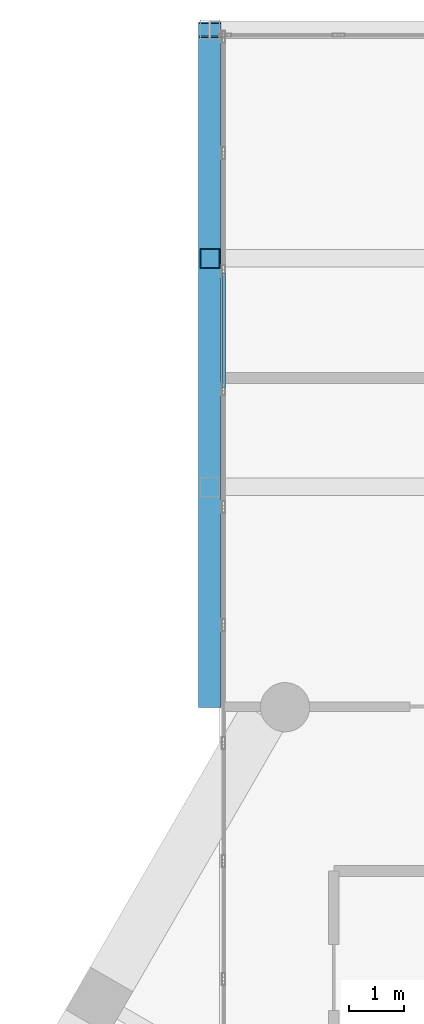
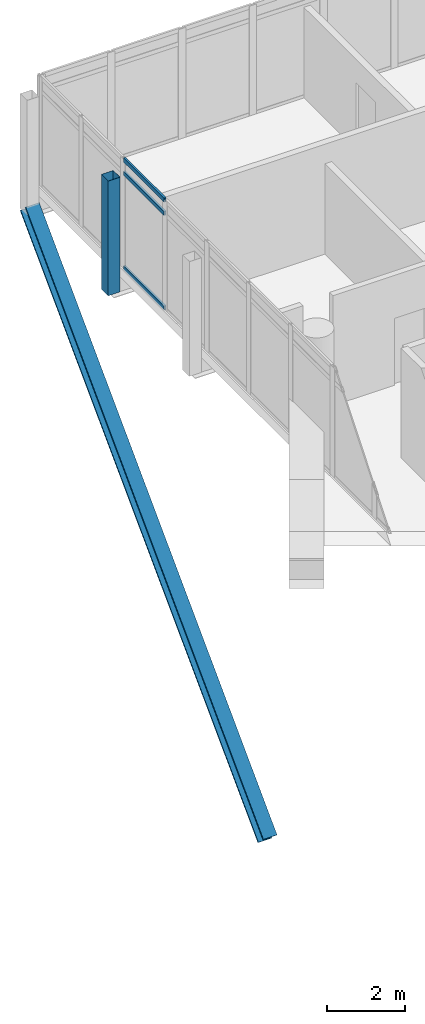
# One storey, part 18 of 34: 5 members, 1 element without a shape of its own.
"""IFC4 building model written with IfcOpenShell, lengths in metres."""

import ifcopenshell
import ifcopenshell.guid

model = None  # the IFC model being written
_history = None  # IfcOwnerHistory: only IFC2X3 demands one
_inside = {}  # id of a spatial element -> (the spatial element, [elements in it])
_under = {}  # id of a project, library or spatial element -> (it, [spatial elements below it])
_declared = {}  # id of a project -> (the project, [libraries it declares])
_typed = {}  # id of a type object -> (the type object, [elements of that type])
_made_of = {}  # id of a material, layer set ... -> (it, [elements and type objects made of it])


def new_model(schema):
    """Start an empty IFC model of exactly this schema.

    Asked for "IFC4X3", IfcOpenShell would pick the latest addendum, in which some entities
    have other attributes; the version numbers below select the first issue.
    IFC2X3 requires an IfcOwnerHistory on every rooted entity: one is made here for all.
    """
    global model, _history
    if schema == "IFC4X3":
        model = ifcopenshell.file(schema_version=(4, 3, 0, 0))
    else:
        model = ifcopenshell.file(schema=schema)
    _inside.clear()
    _under.clear()
    _declared.clear()
    _typed.clear()
    _made_of.clear()
    _history = None
    if model.schema == "IFC2X3":
        org = make("IfcOrganization", Name="unknown")
        user = make(
            "IfcPersonAndOrganization",
            ThePerson=make("IfcPerson", FamilyName="unknown"),
            TheOrganization=org,
        )
        app = make(
            "IfcApplication",
            ApplicationDeveloper=org,
            Version="unknown",
            ApplicationFullName="unknown",
            ApplicationIdentifier="unknown",
        )
        _history = make(
            "IfcOwnerHistory",
            OwningUser=user,
            OwningApplication=app,
            ChangeAction="ADDED",
            CreationDate=0,
        )
    return model


def make(cls, **values):
    """One entity of the class cls with the attributes given. An attribute that is None is left unset."""
    return model.create_entity(
        cls, **{name: value for name, value in values.items() if value is not None}
    )


def rooted(cls, **values):
    """An entity with a GlobalId (a new one), such as an element, a storey or a relation."""
    return make(cls, GlobalId=ifcopenshell.guid.new(), OwnerHistory=_history, **values)


def si_unit(unit_type, name, prefix=None):
    """IfcSIUnit, for example si_unit("LENGTHUNIT", "METRE", prefix="MILLI")."""
    return make("IfcSIUnit", UnitType=unit_type, Prefix=prefix, Name=name)


def assignment(units):
    """IfcUnitAssignment: the units of a project."""
    return None if units is None else make("IfcUnitAssignment", Units=units)


def point(xyz):
    """IfcCartesianPoint."""
    return None if xyz is None else make("IfcCartesianPoint", Coordinates=xyz)


def direction(xyz):
    """IfcDirection."""
    return None if xyz is None else make("IfcDirection", DirectionRatios=xyz)


def frame(location, z_axis=None, x_axis=None):
    """IfcAxis2Placement3D, a coordinate frame: its origin and axes. An axis left out is left unset."""
    return make(
        "IfcAxis2Placement3D",
        Location=point(location),
        Axis=direction(z_axis),
        RefDirection=direction(x_axis),
    )


def frame_2d(location, x_axis=None):
    """IfcAxis2Placement2D, a coordinate frame in the plane: its origin and x axis."""
    return make(
        "IfcAxis2Placement2D", Location=point(location), RefDirection=direction(x_axis)
    )


def origin():
    """The frame at (0, 0, 0) with its axes left unset."""
    return frame((0.0, 0.0, 0.0))


def origin_2d():
    """The frame at (0, 0) in the plane with its x axis left unset."""
    return frame_2d((0.0, 0.0))


def place(relative_to, where):
    """IfcLocalPlacement: puts the frame where relative to a parent placement (None: the world)."""
    return make(
        "IfcLocalPlacement", PlacementRelTo=relative_to, RelativePlacement=where
    )


def context(
    kind, dimensions, precision=None, world=None, true_north=None, identifier=None
):
    """IfcGeometricRepresentationContext, for example the 3D "Model" context."""
    return make(
        "IfcGeometricRepresentationContext",
        ContextIdentifier=identifier,
        ContextType=kind,
        CoordinateSpaceDimension=dimensions,
        Precision=precision,
        WorldCoordinateSystem=world,
        TrueNorth=true_north,
    )


def subcontext(parent, identifier, kind, view, scale=None):
    """IfcGeometricRepresentationSubContext, for example "Body" below "Model"."""
    return make(
        "IfcGeometricRepresentationSubContext",
        ContextIdentifier=identifier,
        ContextType=kind,
        ParentContext=parent,
        TargetScale=scale,
        TargetView=view,
    )


def project(units=None, contexts=None):
    """IfcProject with its units and contexts."""
    return rooted(
        "IfcProject",
        Name="project",
        RepresentationContexts=contexts,
        UnitsInContext=assignment(units),
    )


def spatial(cls, under=None, at=None, **own):
    """A site, building, storey or space (cls), placed at a placement, below another one or the project."""
    s = rooted(cls, ObjectPlacement=at, **own)
    if under is not None:
        _under.setdefault(under.id(), (under, []))[1].append(s)
    return s


def profile(cls, at=None, kind="AREA", **sizes):
    """A parametric profile (cls). Its sizes go by their IFC names, for example OverallWidth=200.0."""
    return make(cls, ProfileType=kind, Position=at, **sizes)


def hollow_rectangle(**sizes):
    """IfcRectangleHollowProfileDef."""
    return profile("IfcRectangleHollowProfileDef", **sizes)


def i_section(**sizes):
    """IfcIShapeProfileDef."""
    return profile("IfcIShapeProfileDef", **sizes)


def extrude(swept, where, along, depth):
    """IfcExtrudedAreaSolid: the profile swept, set in the frame where, extruded along a direction by depth."""
    return make(
        "IfcExtrudedAreaSolid",
        SweptArea=swept,
        Position=where,
        ExtrudedDirection=direction(along),
        Depth=depth,
    )


def shape(context_of_items, identifier, shape_type, items):
    """IfcShapeRepresentation: the items that make up one representation, for example the "Body"."""
    return make(
        "IfcShapeRepresentation",
        ContextOfItems=context_of_items,
        RepresentationIdentifier=identifier,
        RepresentationType=shape_type,
        Items=items,
    )


def material(Name=None, Category=None):
    """IfcMaterial."""
    return make("IfcMaterial", Name=Name, Category=Category)


def material_profile(
    of_material, cross_section, Name=None, Category=None, Priority=None
):
    """IfcMaterialProfile: a cross section and its material."""
    return make(
        "IfcMaterialProfile",
        Name=Name,
        Material=of_material,
        Profile=cross_section,
        Priority=Priority,
        Category=Category,
    )


def profile_set(profiles, Name=None, composite=None):
    """IfcMaterialProfileSet."""
    return make(
        "IfcMaterialProfileSet",
        Name=Name,
        MaterialProfiles=profiles,
        CompositeProfile=composite,
    )


def made_of(thing, what):
    """Note that an element or type object is made of a material, layer set ...; save() writes the relation."""
    if what is not None:
        _made_of.setdefault(what.id(), (what, []))[1].append(thing)
    return thing


def type_object(cls, material=None, **own):
    """A type object (cls), such as IfcWallType, which elements share."""
    return made_of(rooted(cls, **own), material)


def element(
    cls,
    number,
    at=None,
    inside=None,
    cuts=None,
    type_object=None,
    material=None,
    context=None,
    identifier="Body",
    shape_type=None,
    held_by="IfcProductDefinitionShape",
    body=None,
    shapes=None,
    **own,
):
    """One element of the class cls, such as IfcWall. Its Tag is "e" and its number.

    at: its placement. inside: the storey or other place that contains it. cuts: it is an
    opening in that element (IfcRelVoidsElement). A single representation is given by context,
    identifier, shape_type and body (its items); several are given by shapes. held_by: the class
    of the entity that holds the representations. save() writes the other relations.
    """
    e = rooted(cls, Tag="e%d" % number, ObjectPlacement=at, **own)
    if body is not None:
        shapes = [shape(context, identifier, shape_type, body)]
    if shapes is not None:
        e.Representation = make(held_by, Representations=shapes)
    if inside is not None:
        _inside.setdefault(inside.id(), (inside, []))[1].append(e)
    if cuts is not None:
        rooted(
            "IfcRelVoidsElement", RelatingBuildingElement=cuts, RelatedOpeningElement=e
        )
    if type_object is not None:
        _typed.setdefault(type_object.id(), (type_object, []))[1].append(e)
    return made_of(e, material)


def aggregate(whole, parts):
    """IfcRelAggregates: a whole, such as a stair, and the parts it consists of."""
    return rooted("IfcRelAggregates", RelatingObject=whole, RelatedObjects=parts)


def save(model, path):
    """Write the relations noted so far, then the file.

    IfcRelAggregates (storeys below a building ...), IfcRelContainedInSpatialStructure (elements
    in a storey), IfcRelDefinesByType, IfcRelAssociatesMaterial and IfcRelDeclares: one each for
    every whole, place, type object, material and project.
    """
    for whole, parts in _under.values():
        aggregate(whole, parts)
    for where, things in _inside.values():
        rooted(
            "IfcRelContainedInSpatialStructure",
            RelatedElements=things,
            RelatingStructure=where,
        )
    for kind, things in _typed.values():
        rooted("IfcRelDefinesByType", RelatedObjects=things, RelatingType=kind)
    for what, things in _made_of.values():
        rooted("IfcRelAssociatesMaterial", RelatedObjects=things, RelatingMaterial=what)
    for by, libraries in _declared.values():
        rooted("IfcRelDeclares", RelatingContext=by, RelatedDefinitions=libraries)
    model.write(path)


model = new_model("IFC4")

# Units and contexts
model_context = context("Model", 3, precision=1e-05, world=origin(), true_north=direction((0.0, 1.0)))
body_context = subcontext(model_context, "Body", "Model", "MODEL_VIEW")
ifc_project = project(units=[si_unit("LENGTHUNIT", "METRE"), si_unit("AREAUNIT", "SQUARE_METRE"), si_unit("VOLUMEUNIT", "CUBIC_METRE"), si_unit("PLANEANGLEUNIT", "RADIAN"), si_unit("MASSUNIT", "GRAM", prefix="KILO")], contexts=[model_context])

# Site, building, storey
site_placement = place(None, origin())
site = spatial("IfcSite", under=ifc_project, at=site_placement, CompositionType="ELEMENT")
building_placement = place(site_placement, origin())
building = spatial("IfcBuilding", under=site, at=building_placement, Name="Ostrander Bayou Hotel Tower", CompositionType="ELEMENT")
storey_placement = place(building_placement, frame((0.0, 0.0, 222.0)))
storey = spatial("IfcBuildingStorey", under=building, at=storey_placement, Name="L55", CompositionType="ELEMENT", Elevation=222.0)

# Curtain wall, members
ifc_material_1 = material(Name="Aluminium and clear glass", Category="aluminium")
curtain_wall_type = type_object("IfcCurtainWallType", Name="CW-BAR glazed wall", PredefinedType="NOTDEFINED", material=ifc_material_1)
curtain_wall_placement = place(storey_placement, origin())
curtain_wall = element("IfcCurtainWall", 1, at=curtain_wall_placement, inside=storey, type_object=curtain_wall_type, Name="CW-BAR L55:SB5N:E", PredefinedType="NOTDEFINED")
ifc_material_2 = material(Name="Aluminium", Category="aluminium")
ifc_material_profile_1 = material_profile(ifc_material_2, hollow_rectangle(XDim=0.06005859375, YDim=0.1298828125, WallThickness=0.00390625, at=origin_2d()))
ifc_profile_set_1 = profile_set([ifc_material_profile_1], Name="Aluminium")
member_type_1 = type_object("IfcMemberType", Name="CW-BR transom 60 x 130 mm", PredefinedType="USERDEFINED", material=ifc_profile_set_1)
member_1_placement = place(storey_placement, frame((-10.51220703125, 22.429443359375, 0.030029296875), z_axis=(0.0, 1.0, 0.0), x_axis=(-1.0, 0.0, 0.0)))
member_1 = element("IfcMember", 2, at=member_1_placement, type_object=member_type_1, Name="CW-BAR transom 7.1", ObjectType="TRANSOM", PredefinedType="USERDEFINED", context=body_context, shape_type="SweptSolid", body=[
    extrude(hollow_rectangle(XDim=0.06005859375, YDim=0.1298828125, WallThickness=0.00390625, at=origin_2d()), origin(), (0.0, 0.0, 1.0), 2.095703125),
])
member_2_placement = place(storey_placement, frame((-10.51220703125, 22.429443359375, 3.0), z_axis=(0.0, 1.0, 0.0), x_axis=(-1.0, 0.0, 0.0)))
member_2 = element("IfcMember", 3, at=member_2_placement, type_object=member_type_1, Name="CW-BAR transom 7.2", ObjectType="TRANSOM", PredefinedType="USERDEFINED", context=body_context, shape_type="SweptSolid", body=[
    extrude(hollow_rectangle(XDim=0.06005859375, YDim=0.1298828125, WallThickness=0.00390625, at=origin_2d()), origin(), (0.0, 0.0, 1.0), 2.095703125),
])
member_3_placement = place(storey_placement, frame((-10.51220703125, 22.429443359375, 3.419921875), z_axis=(0.0, 1.0, 0.0), x_axis=(-1.0, 0.0, 0.0)))
member_3 = element("IfcMember", 4, at=member_3_placement, type_object=member_type_1, Name="CW-BAR transom 7.3", ObjectType="TRANSOM", PredefinedType="USERDEFINED", context=body_context, shape_type="SweptSolid", body=[
    extrude(hollow_rectangle(XDim=0.06005859375, YDim=0.1298828125, WallThickness=0.00390625, at=origin_2d()), origin(), (0.0, 0.0, 1.0), 2.095703125),
])
aggregate(curtain_wall, [member_1, member_2, member_3])

# Members
ifc_material_3 = material(Name="Steel ASTM A500 Gr C", Category="steel")
ifc_material_profile_2 = material_profile(ifc_material_3, hollow_rectangle(XDim=0.355712890625, YDim=0.355712890625, WallThickness=0.0087890625, at=origin_2d()))
ifc_profile_set_2 = profile_set([ifc_material_profile_2], Name="Steel ASTM A500 Gr C")
member_type_2 = type_object("IfcMemberType", Name="TH3 bar hanger HSS14x14x3/8", PredefinedType="POST", material=ifc_profile_set_2)
member_4_placement = place(storey_placement, frame((-10.764892578125, 24.790283203125, -0.760986328125), z_axis=(0.0, 0.0, 1.0), x_axis=(1.0, 0.0, 0.0)))
element("IfcMember", 5, at=member_4_placement, inside=storey, type_object=member_type_2, Name="TH3 SB5WA H2-1", PredefinedType="POST", context=body_context, shape_type="SweptSolid", body=[
    extrude(hollow_rectangle(XDim=0.355712890625, YDim=0.355712890625, WallThickness=0.0087890625, at=origin_2d()), origin(), (0.0, 0.0, 1.0), 3.599853515625),
])
ifc_material_4 = material(Name="Steel ASTM A992", Category="steel")
ifc_material_profile_3 = material_profile(ifc_material_4, i_section(OverallWidth=0.403564453125, OverallDepth=0.407470703125, WebThickness=0.027099609375, FlangeThickness=0.043701171875, at=origin_2d()))
ifc_profile_set_3 = profile_set([ifc_material_profile_3], Name="Steel ASTM A992")
member_type_3 = type_object("IfcMemberType", Name="TK2 bar kicker strut W14x233", PredefinedType="BRACE", material=ifc_profile_set_3)
member_5_placement = place(storey_placement, frame((-10.764892578125, 28.966552734375, -0.6611328125), z_axis=(0.0, -0.701318943356, -0.712847627259), x_axis=(1.0, 0.0, 0.0)))
element("IfcMember", 6, at=member_5_placement, inside=storey, type_object=member_type_3, Name="TK2 SB5WA kicker", PredefinedType="BRACE", context=body_context, shape_type="SweptSolid", body=[
    extrude(i_section(OverallWidth=0.403564453125, OverallDepth=0.407470703125, WebThickness=0.027099609375, FlangeThickness=0.043701171875, at=origin_2d()), origin(), (0.0, 0.0, 1.0), 17.44970703125),
])

save(model, "model.ifc")
